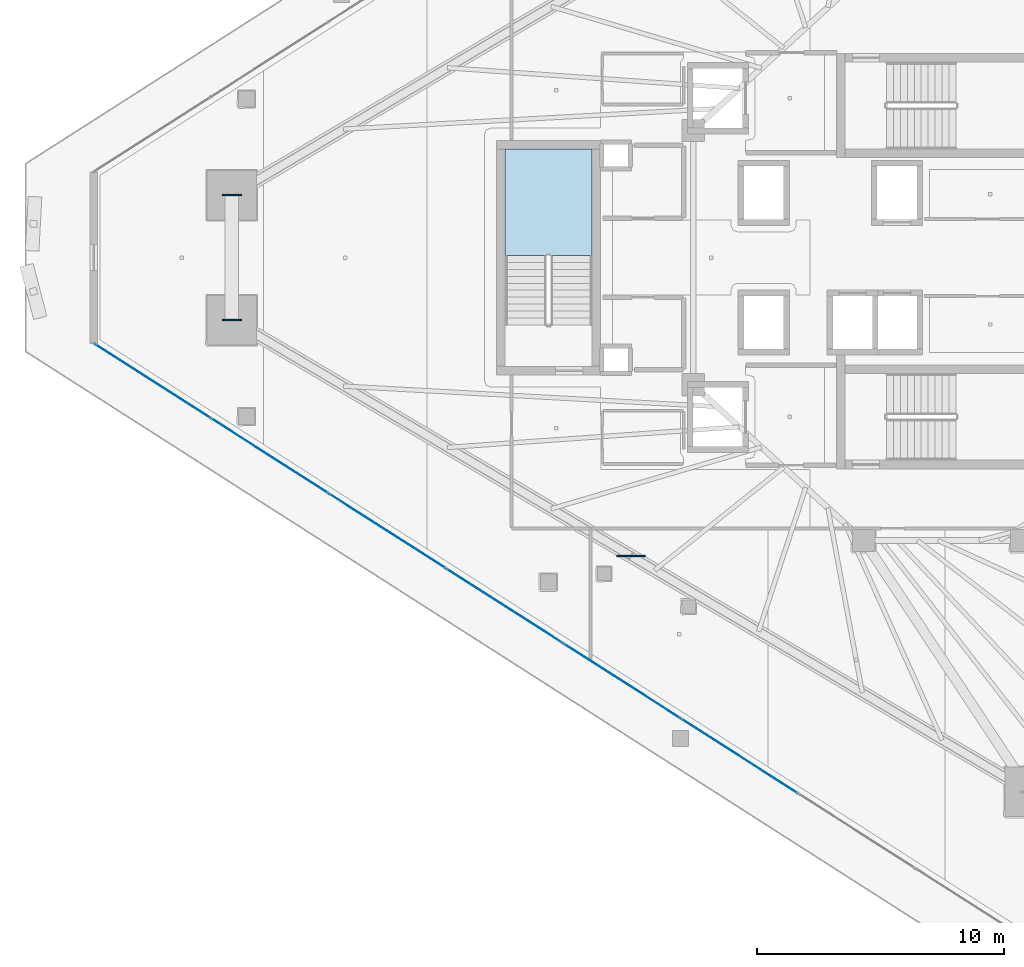
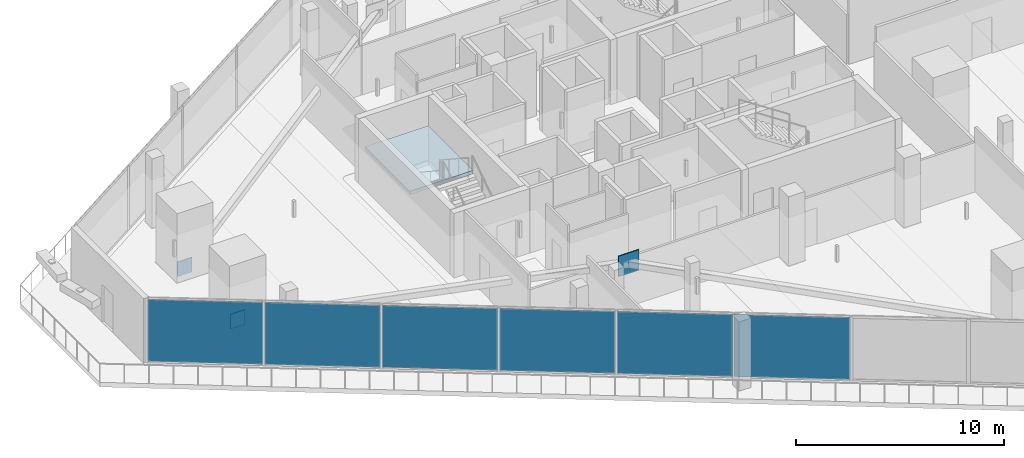
# One storey, part 24 of 39: 9 plates, 1 slab, 2 elements without a shape of their own.
"""IFC4 building model written with IfcOpenShell, lengths in metres."""

from ifc_helpers import new_model, si_unit, direction, frame, origin, origin_2d, place, context, subcontext, project, spatial, polyline, rectangle, outline, extrude, material, layer, layer_set, type_object, element, aggregate, save


model = new_model("IFC4")

# Units and contexts
model_context = context("Model", 3, precision=1e-05, world=origin(), true_north=direction((0.0, 1.0)))
body_context = subcontext(model_context, "Body", "Model", "MODEL_VIEW")
ifc_project = project(units=[si_unit("LENGTHUNIT", "METRE"), si_unit("AREAUNIT", "SQUARE_METRE"), si_unit("VOLUMEUNIT", "CUBIC_METRE"), si_unit("PLANEANGLEUNIT", "RADIAN"), si_unit("MASSUNIT", "GRAM", prefix="KILO")], contexts=[model_context])

# Site, building, storey
site_placement = place(None, origin())
site = spatial("IfcSite", under=ifc_project, at=site_placement, CompositionType="ELEMENT")
building_placement = place(site_placement, origin())
building = spatial("IfcBuilding", under=site, at=building_placement, Name="Qorvath Tower", CompositionType="ELEMENT")
storey_placement = place(building_placement, frame((0.0, 0.0, 201.0)))
storey = spatial("IfcBuildingStorey", under=building, at=storey_placement, Name="L46", CompositionType="ELEMENT", Elevation=201.0)

# Curtain wall, plates
ifc_material_1 = material(Name="Anodised aluminium and triple low-E glass", Category="aluminium")
ifc_layer_1 = layer(ifc_material_1, 0.179931640625)
ifc_layer_set_1 = layer_set([ifc_layer_1], Name="CW-SYS-3")
curtain_wall_type = type_object("IfcCurtainWallType", Name="CW-SYS-3", PredefinedType="NOTDEFINED", material=ifc_layer_set_1)
curtain_wall_placement = place(storey_placement, origin())
curtain_wall = element("IfcCurtainWall", 1, at=curtain_wall_placement, inside=storey, type_object=curtain_wall_type, Name="Curtain Wall CW-3 CW-T-L46-2.1", PredefinedType="NOTDEFINED")
ifc_material_2 = material(Name="Low-E triple insulated glass", Category="glass")
ifc_layer_2 = layer(ifc_material_2, 0.031982421875)
ifc_layer_set_2 = layer_set([ifc_layer_2], Name="CWP-GLZ-32")
plate_type_1 = type_object("IfcPlateType", Name="CWP-GLZ-32", PredefinedType="CURTAIN_PANEL", material=ifc_layer_set_2)
plate_1_placement = place(storey_placement, frame((-52.372802734375, -4.998779296875, 0.06494140625), z_axis=(0.0, 0.0, 1.0), x_axis=(0.842604020948, -0.538533623725, 0.0)))
plate_1 = element("IfcPlate", 2, at=plate_1_placement, type_object=plate_type_1, Name="CW-3 panel 1.1", PredefinedType="CURTAIN_PANEL", context=body_context, shape_type="SweptSolid", body=[
    extrude(rectangle(XDim=5.542724609375, YDim=0.031982421875, at=origin_2d()), origin(), (0.0, 0.0, 1.0), 3.64990234375),
])
plate_2_placement = place(storey_placement, frame((-47.634033203125, -8.027587890625, 0.06494140625), z_axis=(0.0, 0.0, 1.0), x_axis=(0.842604020948, -0.538533623725, 0.0)))
plate_2 = element("IfcPlate", 3, at=plate_2_placement, type_object=plate_type_1, Name="CW-3 panel 2.1", PredefinedType="CURTAIN_PANEL", context=body_context, shape_type="SweptSolid", body=[
    extrude(rectangle(XDim=5.5751953125, YDim=0.031982421875, at=origin_2d()), origin(), (0.0, 0.0, 1.0), 3.64990234375),
])
plate_3_placement = place(storey_placement, frame((-42.881591796875, -11.06494140625, 0.06494140625), z_axis=(0.0, 0.0, 1.0), x_axis=(0.842604020948, -0.538533623725, 0.0)))
plate_3 = element("IfcPlate", 4, at=plate_3_placement, type_object=plate_type_1, Name="CW-3 panel 3.1", PredefinedType="CURTAIN_PANEL", context=body_context, shape_type="SweptSolid", body=[
    extrude(rectangle(XDim=5.5751953125, YDim=0.031982421875, at=origin_2d()), origin(), (0.0, 0.0, 1.0), 3.64990234375),
])
plate_4_placement = place(storey_placement, frame((-38.129150390625, -14.1025390625, 0.06494140625), z_axis=(0.0, 0.0, 1.0), x_axis=(0.842604020948, -0.538533623725, 0.0)))
plate_4 = element("IfcPlate", 5, at=plate_4_placement, type_object=plate_type_1, Name="CW-3 panel 4.1", PredefinedType="CURTAIN_PANEL", context=body_context, shape_type="SweptSolid", body=[
    extrude(rectangle(XDim=5.5751953125, YDim=0.031982421875, at=origin_2d()), origin(), (0.0, 0.0, 1.0), 3.64990234375),
])
plate_5_placement = place(storey_placement, frame((-33.37646484375, -17.139892578125, 0.06494140625), z_axis=(0.0, 0.0, 1.0), x_axis=(0.842604020948, -0.538533623725, 0.0)))
plate_5 = element("IfcPlate", 6, at=plate_5_placement, type_object=plate_type_1, Name="CW-3 panel 5.1", PredefinedType="CURTAIN_PANEL", context=body_context, shape_type="SweptSolid", body=[
    extrude(rectangle(XDim=5.5751953125, YDim=0.031982421875, at=origin_2d()), origin(), (0.0, 0.0, 1.0), 3.64990234375),
])
plate_6_placement = place(storey_placement, frame((-28.6240234375, -20.177490234375, 0.06494140625), z_axis=(0.0, 0.0, 1.0), x_axis=(0.842604020948, -0.538533623725, 0.0)))
plate_6 = element("IfcPlate", 7, at=plate_6_placement, type_object=plate_type_1, Name="CW-3 panel 6.1", PredefinedType="CURTAIN_PANEL", context=body_context, shape_type="SweptSolid", body=[
    extrude(rectangle(XDim=5.5751953125, YDim=0.031982421875, at=origin_2d()), origin(), (0.0, 0.0, 1.0), 3.64990234375),
])
aggregate(curtain_wall, [plate_1, plate_2, plate_3, plate_4, plate_5, plate_6])

# Plates
ifc_material_3 = material(Name="Steel ASTM A572 Grade 50", Category="steel")
ifc_layer_3 = layer(ifc_material_3, 0.054931640625)
ifc_layer_set_3 = layer_set([ifc_layer_3], Name="PL-MBN1")
plate_type_2 = type_object("IfcPlateType", Name="PL-MBN1", PredefinedType="USERDEFINED", material=ifc_layer_set_3)
plate_7_placement = place(storey_placement, frame((-33.021728515625, -12.077392578125, 2.830078125), z_axis=(0.0, 0.0, 1.0), x_axis=(1.0, 0.0, 0.0)))
element("IfcPlate", 8, at=plate_7_placement, inside=storey, type_object=plate_type_2, Name="Mega-Brace Chevron Apex Gusset L46-2", ObjectType="GUSSET", PredefinedType="USERDEFINED", context=body_context, shape_type="SweptSolid", body=[
    extrude(rectangle(XDim=1.14990234375, YDim=0.054931640625, at=origin_2d()), origin(), (0.0, 0.0, 1.0), 1.199951171875),
])
for number, where, z_axis, x_axis, name in (
    (9, (-49.171875, 2.52783203125, -0.425048828125), (0.0, 0.0, 1.0), (1.0, 0.0, 0.0), "Brace Strut End Gusset Plate NDBG-102"),
    (10, (-49.171875, -2.52783203125, -0.425048828125), (0.0, 0.0, 1.0), (1.0, 0.0, 0.0), "Brace Strut End Gusset Plate NDBG-103"),
):
    element("IfcPlate", number, at=place(storey_placement, frame(where, z_axis=z_axis, x_axis=x_axis)), inside=storey, type_object=plate_type_2, Name=name, ObjectType="GUSSET", PredefinedType="USERDEFINED", context=body_context, shape_type="SweptSolid", body=[
        extrude(rectangle(XDim=0.800048828125, YDim=0.054931640625, at=origin_2d()), origin(), (0.0, 0.0, 1.0), 0.85009765625),
    ])

# Stair, slab
ifc_material_4 = material(Name="Concrete C50/60", Category="concrete")
stair_type = type_object("IfcStairType", Name="ST-H405", PredefinedType="HALF_TURN_STAIR", material=ifc_material_4)
stair_placement = place(storey_placement, origin())
stair = element("IfcStair", 11, at=stair_placement, inside=storey, type_object=stair_type, Name="L46 Tower Exit Stair 3", PredefinedType="HALF_TURN_STAIR")
ifc_material_5 = material(Name="Concrete C50/60", Category="concrete")
ifc_layer_4 = layer(ifc_material_5, 0.199951171875)
ifc_layer_set_4 = layer_set([ifc_layer_4], Name="SL-LND-200")
slab_type = type_object("IfcSlabType", Name="SL-LND-200", PredefinedType="LANDING", material=ifc_layer_set_4)
slab_placement = place(storey_placement, frame((0.0, 0.0, 1.824951171875)))
slab = element("IfcSlab", 12, at=slab_placement, type_object=slab_type, Name="TS3 landing 1", PredefinedType="LANDING", context=body_context, shape_type="SweptSolid", body=[
    extrude(outline(polyline([(-34.60009765625, 0.080078125), (-34.60009765625, 4.39990234375), (-38.110107421875, 4.39990234375), (-38.110107421875, 0.080078125), (-34.60009765625, 0.080078125)])), origin(), (0.0, 0.0, 1.0), 0.199951171875),
])
aggregate(stair, [slab])

save(model, "model.ifc")
